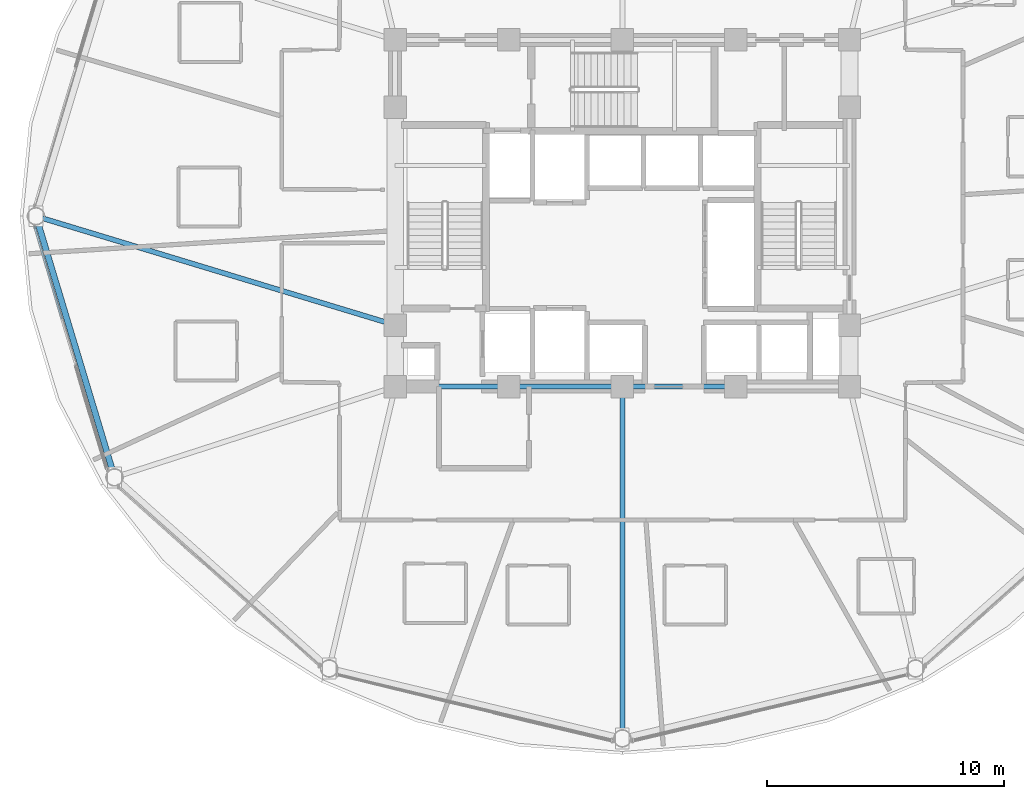
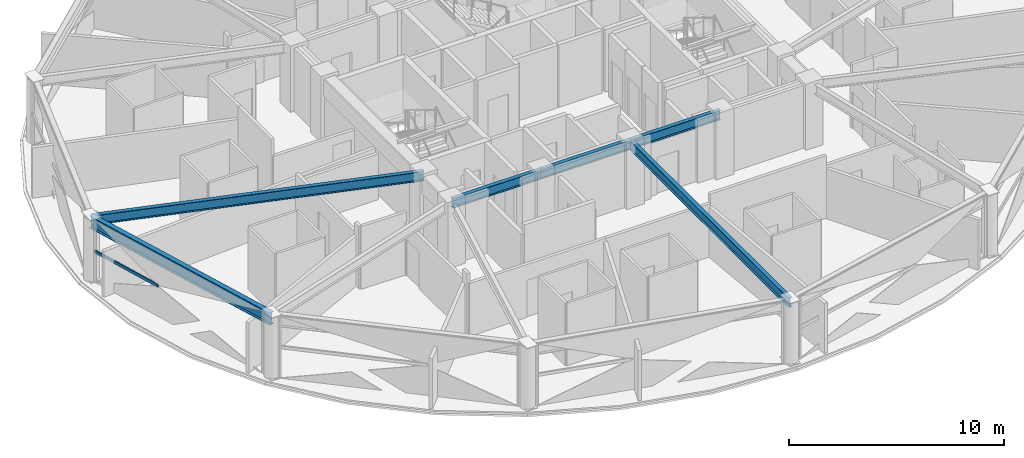
# One storey, part 6 of 30: 6 beams, 1 member, 1 element without a shape of its own.
"""IFC4 building model written with IfcOpenShell, lengths in metres."""

from ifc_helpers import new_model, si_unit, direction, frame, origin, origin_2d, place, context, subcontext, project, spatial, hollow_rectangle, i_section, extrude, material, layer, layer_set, material_profile, profile_set, type_object, element, aggregate, save


model = new_model("IFC4")

# Units and contexts
model_context = context("Model", 3, precision=1e-05, world=origin(), true_north=direction((0.0, 1.0)))
body_context = subcontext(model_context, "Body", "Model", "MODEL_VIEW")
ifc_project = project(units=[si_unit("LENGTHUNIT", "METRE"), si_unit("AREAUNIT", "SQUARE_METRE"), si_unit("VOLUMEUNIT", "CUBIC_METRE"), si_unit("PLANEANGLEUNIT", "RADIAN"), si_unit("MASSUNIT", "GRAM", prefix="KILO")], contexts=[model_context])

# Site, building, storey
site_placement = place(None, origin())
site = spatial("IfcSite", under=ifc_project, at=site_placement, CompositionType="ELEMENT")
building_placement = place(site_placement, origin())
building = spatial("IfcBuilding", under=site, at=building_placement, Name="Vantalir Tower", CompositionType="ELEMENT")
storey_placement = place(building_placement, frame((0.0, 0.0, 153.449951171875)))
storey = spatial("IfcBuildingStorey", under=building, at=storey_placement, Name="L38", CompositionType="ELEMENT", Elevation=153.449951171875)

# Beams
ifc_material_1 = material(Name="Steel S355", Category="steel")
ifc_material_profile_1 = material_profile(ifc_material_1, i_section(OverallWidth=0.2109375, OverallDepth=0.5390625, WebThickness=0.01171875, FlangeThickness=0.018798828125, at=origin_2d()), Name="Steel S355")
ifc_profile_set_1 = profile_set([ifc_material_profile_1], Name="Steel S355")
beam_type_1 = type_object("IfcBeamType", Name="BM-RB-533x210", PredefinedType="BEAM", material=ifc_profile_set_1)
for number, where, z_axis, x_axis, name in (
    (1, (21.89990234375, 17.800048828125, 3.301025390625), (1.0, 0.0, 0.0), (0.0, 1.0, 0.0), "L38 Core Coupling Girder 01"),
    (2, (26.699951171875, 17.800048828125, 3.301025390625), (1.0, 0.0, 0.0), (0.0, 1.0, 0.0), "L38 Core Coupling Girder 02"),
    (3, (31.5, 17.800048828125, 3.301025390625), (1.0, 0.0, 0.0), (0.0, 1.0, 0.0), "L38 Core Coupling Girder 03"),
):
    element("IfcBeam", number, at=place(storey_placement, frame(where, z_axis=z_axis, x_axis=x_axis)), inside=storey, type_object=beam_type_1, Name=name, PredefinedType="BEAM", context=body_context, shape_type="SweptSolid", body=[
        extrude(i_section(OverallWidth=0.2109375, OverallDepth=0.5390625, WebThickness=0.01171875, FlangeThickness=0.018798828125, at=origin_2d()), origin(), (0.0, 0.0, 1.0), 4.800048828125),
    ])
beam_1_placement = place(storey_placement, frame((6.717041015625, 25.0, 3.301025390625), z_axis=(0.957037864084, -0.289962974723, 0.0), x_axis=(0.289962974723, 0.957037864084, 0.0)))
element("IfcBeam", 4, at=beam_1_placement, inside=storey, type_object=beam_type_1, Name="L38 Radial Floor Beam 07", PredefinedType="BEAM", context=body_context, shape_type="SweptSolid", body=[
    extrude(i_section(OverallWidth=0.2109375, OverallDepth=0.5390625, WebThickness=0.01171875, FlangeThickness=0.018798828125, at=origin_2d()), origin(), (0.0, 0.0, 1.0), 15.864501953125),
])
beam_2_placement = place(storey_placement, frame((31.5, 2.930908203125, 3.301025390625), z_axis=(0.0, 1.0, 0.0), x_axis=(-1.0, 0.0, 0.0)))
element("IfcBeam", 5, at=beam_2_placement, inside=storey, type_object=beam_type_1, Name="L38 Radial Floor Beam 10", PredefinedType="BEAM", context=body_context, shape_type="SweptSolid", body=[
    extrude(i_section(OverallWidth=0.2109375, OverallDepth=0.5390625, WebThickness=0.01171875, FlangeThickness=0.018798828125, at=origin_2d()), origin(), (0.0, 0.0, 1.0), 14.869140625),
])
ifc_material_2 = material(Name="Steel S460", Category="steel")
ifc_material_profile_2 = material_profile(ifc_material_2, i_section(OverallWidth=0.256103515625, OverallDepth=0.693115234375, WebThickness=0.014404296875, FlangeThickness=0.023681640625, at=origin_2d()), Name="Steel S460")
ifc_profile_set_2 = profile_set([ifc_material_profile_2], Name="Steel S460")
beam_type_2 = type_object("IfcBeamType", Name="BM-RG-686x254", PredefinedType="USERDEFINED", material=ifc_profile_set_2)
beam_3_placement = place(storey_placement, frame((6.717041015625, 25.0, 3.22412109375), z_axis=(0.288111665009, -0.95759681938, 0.0), x_axis=(0.95759681938, 0.288111665009, 0.0)))
element("IfcBeam", 6, at=beam_3_placement, inside=storey, type_object=beam_type_2, Name="L38 Circumferential Ring Girder 07", ObjectType="GIRDER", PredefinedType="USERDEFINED", context=body_context, shape_type="SweptSolid", body=[
    extrude(i_section(OverallWidth=0.256103515625, OverallDepth=0.693115234375, WebThickness=0.014404296875, FlangeThickness=0.023681640625, at=origin_2d()), origin(), (0.0, 0.0, 1.0), 11.5234375),
])

# Curtain wall, member
ifc_material_3 = material(Name="Champagne-silver PVDF aluminium and double-silver Low-E glass", Category="aluminium")
ifc_layer = layer(ifc_material_3, 0.199951171875)
ifc_layer_set = layer_set([ifc_layer], Name="Champagne-silver PVDF aluminium and double-silver Low-E glass")
curtain_wall_type = type_object("IfcCurtainWallType", Name="CW-DIAMOND-Z2", PredefinedType="USERDEFINED", material=ifc_layer_set)
curtain_wall_placement = place(storey_placement, origin())
curtain_wall = element("IfcCurtainWall", 7, at=curtain_wall_placement, inside=storey, type_object=curtain_wall_type, Name="L38 Quilted Pyramid-Diamond Curtain Wall S07", ObjectType="UNITISED CURTAIN WALL", PredefinedType="USERDEFINED")
ifc_material_4 = material(Name="Champagne-silver PVDF aluminium 6063-T6", Category="aluminium")
ifc_material_profile_3 = material_profile(ifc_material_4, hollow_rectangle(XDim=0.074951171875, YDim=0.159912109375, WallThickness=0.00390625, at=origin_2d()), Name="Champagne-silver PVDF aluminium 6063-T6")
ifc_profile_set_3 = profile_set([ifc_material_profile_3], Name="Champagne-silver PVDF aluminium 6063-T6")
member_type = type_object("IfcMemberType", Name="CWT-160x75", PredefinedType="USERDEFINED", material=ifc_profile_set_3)
member_placement = place(storey_placement, frame((6.654052734375, 24.5791015625, 1.78515625), z_axis=(0.282095046471, -0.959386462671, 0.0), x_axis=(0.959386462671, 0.282095046471, 0.0)))
member = element("IfcMember", 8, at=member_placement, type_object=member_type, Name="CW-L38-S07 Pyramid Fold Ridge Transom", ObjectType="TRANSOM", PredefinedType="USERDEFINED", context=body_context, shape_type="SweptSolid", body=[
    extrude(hollow_rectangle(XDim=0.074951171875, YDim=0.159912109375, WallThickness=0.00390625, at=origin_2d()), origin(), (0.0, 0.0, 1.0), 4.079833984375),
])
aggregate(curtain_wall, [member])

save(model, "model.ifc")
